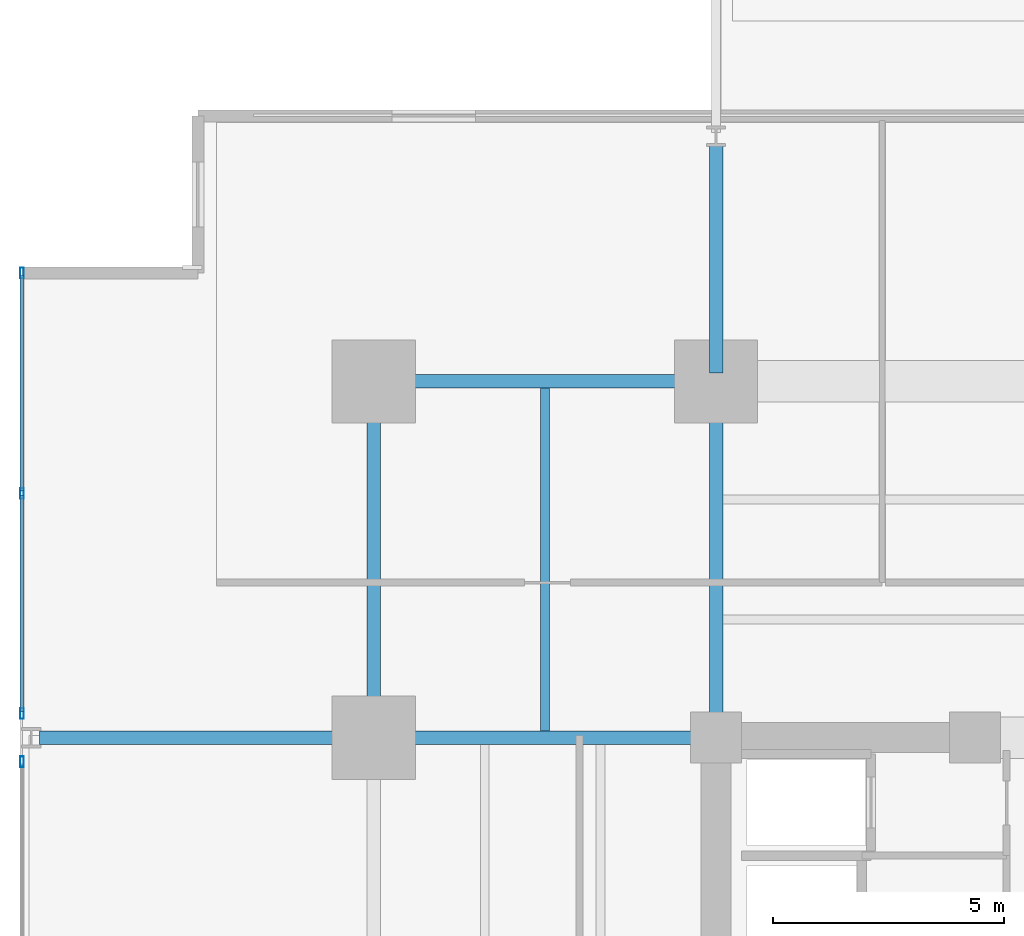
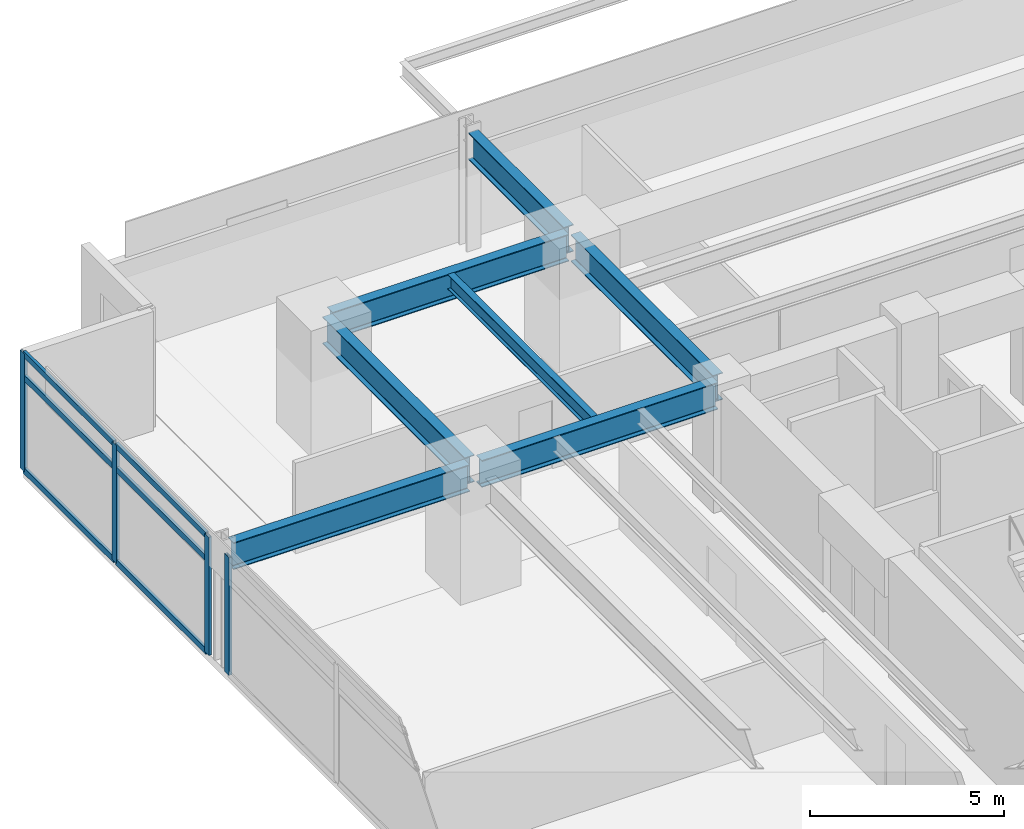
# One storey, part 11 of 25: 10 members, 7 beams, 2 elements without a shape of their own.
"""IFC4 building model written with IfcOpenShell, lengths in metres."""

from ifc_helpers import new_model, si_unit, direction, frame, origin, origin_2d, place, context, subcontext, project, spatial, hollow_rectangle, i_section, extrude, material, material_profile, profile_set, type_object, element, aggregate, save


model = new_model("IFC4")

# Units and contexts
model_context = context("Model", 3, precision=1e-05, world=origin(), true_north=direction((0.0, 1.0)))
body_context = subcontext(model_context, "Body", "Model", "MODEL_VIEW")
ifc_project = project(units=[si_unit("LENGTHUNIT", "METRE"), si_unit("AREAUNIT", "SQUARE_METRE"), si_unit("VOLUMEUNIT", "CUBIC_METRE"), si_unit("PLANEANGLEUNIT", "RADIAN"), si_unit("MASSUNIT", "GRAM", prefix="KILO")], contexts=[model_context])

# Site, building, storey
site_placement = place(None, origin())
site = spatial("IfcSite", under=ifc_project, at=site_placement, CompositionType="ELEMENT")
building_placement = place(site_placement, origin())
building = spatial("IfcBuilding", under=site, at=building_placement, Name="Kovane Verandah Tower", CompositionType="ELEMENT")
storey_placement = place(building_placement, frame((0.0, 0.0, 67.60009765625)))
storey = spatial("IfcBuildingStorey", under=building, at=storey_placement, Name="L15", CompositionType="ELEMENT", Elevation=67.60009765625)

# Beams
ifc_material_1 = material(Name="Steel S355", Category="steel")
ifc_material_profile_1 = material_profile(ifc_material_1, i_section(OverallWidth=0.293701171875, OverallDepth=0.850830078125, WebThickness=0.01611328125, FlangeThickness=0.02685546875, FilletRadius=0.017822265625, at=origin_2d()), Name="UB838x292x226")
ifc_profile_set_1 = profile_set([ifc_material_profile_1], Name="Steel S355")
beam_type_1 = type_object("IfcBeamType", Name="BM-UB838x226", PredefinedType="BEAM", material=ifc_profile_set_1)
beam_1_placement = place(storey_placement, frame((21.780029296875, 44.199951171875, 3.33447265625), z_axis=(1.0, 0.0, 0.0), x_axis=(0.0, 1.0, 0.0)))
element("IfcBeam", 1, at=beam_1_placement, inside=storey, type_object=beam_type_1, Name="L15 Primary Tower Girder G-RN1", PredefinedType="BEAM", context=body_context, shape_type="SweptSolid", body=[
    extrude(i_section(OverallWidth=0.293701171875, OverallDepth=0.850830078125, WebThickness=0.01611328125, FlangeThickness=0.02685546875, FilletRadius=0.017822265625, at=origin_2d()), origin(), (0.0, 0.0, 1.0), 7.0400390625),
])
beam_2_placement = place(storey_placement, frame((21.60009765625, 36.679931640625, 3.33447265625), z_axis=(0.0, 1.0, 0.0), x_axis=(-1.0, 0.0, 0.0)))
element("IfcBeam", 2, at=beam_2_placement, inside=storey, type_object=beam_type_1, Name="L15 Primary Tower Girder G-RW3", PredefinedType="BEAM", context=body_context, shape_type="SweptSolid", body=[
    extrude(i_section(OverallWidth=0.293701171875, OverallDepth=0.850830078125, WebThickness=0.01611328125, FlangeThickness=0.02685546875, FilletRadius=0.017822265625, at=origin_2d()), origin(), (0.0, 0.0, 1.0), 7.340087890625),
])
beam_3_placement = place(storey_placement, frame((28.820068359375, 36.5, 3.33447265625), z_axis=(-1.0, 0.0, 0.0), x_axis=(0.0, -1.0, 0.0)))
element("IfcBeam", 3, at=beam_3_placement, inside=storey, type_object=beam_type_1, Name="L15 Primary Tower Girder G-W2", PredefinedType="BEAM", context=body_context, shape_type="SweptSolid", body=[
    extrude(i_section(OverallWidth=0.293701171875, OverallDepth=0.850830078125, WebThickness=0.01611328125, FlangeThickness=0.02685546875, FilletRadius=0.017822265625, at=origin_2d()), origin(), (0.0, 0.0, 1.0), 7.0400390625),
])
beam_4_placement = place(storey_placement, frame((29.0, 36.679931640625, 3.33447265625), z_axis=(0.0, 1.0, 0.0), x_axis=(-1.0, 0.0, 0.0)))
element("IfcBeam", 4, at=beam_4_placement, inside=storey, type_object=beam_type_1, Name="L15 Primary Tower Girder G-N1", PredefinedType="BEAM", context=body_context, shape_type="SweptSolid", body=[
    extrude(i_section(OverallWidth=0.293701171875, OverallDepth=0.850830078125, WebThickness=0.01611328125, FlangeThickness=0.02685546875, FilletRadius=0.017822265625, at=origin_2d()), origin(), (0.0, 0.0, 1.0), 7.340087890625),
])
beam_5_placement = place(storey_placement, frame((21.419921875, 36.5, 3.33447265625), z_axis=(-1.0, 0.0, 0.0), x_axis=(0.0, -1.0, 0.0)))
element("IfcBeam", 5, at=beam_5_placement, inside=storey, type_object=beam_type_1, Name="L15 Primary Tower Girder G-VW2", PredefinedType="BEAM", context=body_context, shape_type="SweptSolid", body=[
    extrude(i_section(OverallWidth=0.293701171875, OverallDepth=0.850830078125, WebThickness=0.01611328125, FlangeThickness=0.02685546875, FilletRadius=0.017822265625, at=origin_2d()), origin(), (0.0, 0.0, 1.0), 7.0400390625),
])
beam_6_placement = place(storey_placement, frame((29.0, 44.3798828125, 3.33447265625), z_axis=(0.0, 1.0, 0.0), x_axis=(-1.0, 0.0, 0.0)))
element("IfcBeam", 6, at=beam_6_placement, inside=storey, type_object=beam_type_1, Name="L15 Primary Tower Girder G-VN1", PredefinedType="BEAM", context=body_context, shape_type="SweptSolid", body=[
    extrude(i_section(OverallWidth=0.293701171875, OverallDepth=0.850830078125, WebThickness=0.01611328125, FlangeThickness=0.02685546875, FilletRadius=0.017822265625, at=origin_2d()), origin(), (0.0, 0.0, 1.0), 4.940185546875),
])

# Curtain wall, members
ifc_material_2 = material(Name="Champagne Anodised Aluminium Frame with Low-E Clear Laminated Glass", Category="aluminium")
curtain_wall_type = type_object("IfcCurtainWallType", Name="CW-SYS-02-LOW", PredefinedType="NOTDEFINED", material=ifc_material_2)
curtain_wall_1_placement = place(storey_placement, origin())
curtain_wall_1 = element("IfcCurtainWall", 7, at=curtain_wall_1_placement, inside=storey, type_object=curtain_wall_type, Name="L15 W Unitised Curtain Wall-1", PredefinedType="NOTDEFINED")
ifc_material_3 = material(Name="Champagne Anodised Aluminium 6063-T6", Category="aluminium")
ifc_material_profile_2 = material_profile(ifc_material_3, hollow_rectangle(XDim=0.0849609375, YDim=0.22998046875, WallThickness=0.00390625, at=origin_2d()), Name="AL85x230x4")
ifc_profile_set_2 = profile_set([ifc_material_profile_2], Name="Champagne Anodised Aluminium 6063-T6")
member_type_1 = type_object("IfcMemberType", Name="CW-MUL-85x230", PredefinedType="MULLION", material=ifc_profile_set_2)
member_1_placement = place(storey_placement, frame((13.998779296875, 46.540771484375, 0.02001953125), z_axis=(0.0, 0.0, 1.0), x_axis=(-1.0, 0.0, 0.0)))
member_1 = element("IfcMember", 8, at=member_1_placement, type_object=member_type_1, Name="L15 W Unitised Curtain Wall-1 Mullion 1", PredefinedType="MULLION", context=body_context, shape_type="SweptSolid", body=[
    extrude(hollow_rectangle(XDim=0.0849609375, YDim=0.22998046875, WallThickness=0.00390625, at=origin_2d()), origin(), (0.0, 0.0, 1.0), 3.719970703125),
])
member_2_placement = place(storey_placement, frame((13.998779296875, 41.780517578125, 0.02001953125), z_axis=(0.0, 0.0, 1.0), x_axis=(-1.0, 0.0, 0.0)))
member_2 = element("IfcMember", 9, at=member_2_placement, type_object=member_type_1, Name="L15 W Unitised Curtain Wall-1 Mullion 2", PredefinedType="MULLION", context=body_context, shape_type="SweptSolid", body=[
    extrude(hollow_rectangle(XDim=0.0849609375, YDim=0.22998046875, WallThickness=0.00390625, at=origin_2d()), origin(), (0.0, 0.0, 1.0), 3.719970703125),
])
member_3_placement = place(storey_placement, frame((13.998779296875, 37.02001953125, 0.02001953125), z_axis=(0.0, 0.0, 1.0), x_axis=(-1.0, 0.0, 0.0)))
member_3 = element("IfcMember", 10, at=member_3_placement, type_object=member_type_1, Name="L15 W Unitised Curtain Wall-1 Mullion 3", PredefinedType="MULLION", context=body_context, shape_type="SweptSolid", body=[
    extrude(hollow_rectangle(XDim=0.0849609375, YDim=0.22998046875, WallThickness=0.00390625, at=origin_2d()), origin(), (0.0, 0.0, 1.0), 3.719970703125),
])

# Curtain wall, member
curtain_wall_2_placement = place(storey_placement, origin())
curtain_wall_2 = element("IfcCurtainWall", 11, at=curtain_wall_2_placement, inside=storey, type_object=curtain_wall_type, Name="L15 W Unitised Curtain Wall-2", PredefinedType="NOTDEFINED")
member_4_placement = place(storey_placement, frame((13.998779296875, 35.97998046875, 0.02001953125), z_axis=(0.0, 0.0, 1.0), x_axis=(-1.0, 0.0, 0.0)))
member_4 = element("IfcMember", 12, at=member_4_placement, type_object=member_type_1, Name="L15 W Unitised Curtain Wall-2 Mullion 1", PredefinedType="MULLION", context=body_context, shape_type="SweptSolid", body=[
    extrude(hollow_rectangle(XDim=0.0849609375, YDim=0.22998046875, WallThickness=0.00390625, at=origin_2d()), origin(), (0.0, 0.0, 1.0), 3.719970703125),
])
aggregate(curtain_wall_2, [member_4])

# Member
ifc_material_profile_3 = material_profile(ifc_material_3, hollow_rectangle(XDim=0.0849609375, YDim=0.18994140625, WallThickness=0.00390625, at=origin_2d()), Name="AL85x190x4")
ifc_profile_set_3 = profile_set([ifc_material_profile_3], Name="Champagne Anodised Aluminium 6063-T6")
member_type_2 = type_object("IfcMemberType", Name="CW-TRN-85x190", PredefinedType="USERDEFINED", material=ifc_profile_set_3)
member_5_placement = place(storey_placement, frame((13.998779296875, 46.49072265625, 0.0498046875), z_axis=(0.0, -1.0, 0.0), x_axis=(1.0, 0.0, 0.0)))
member_5 = element("IfcMember", 13, at=member_5_placement, type_object=member_type_2, Name="L15 W Unitised Curtain Wall-1 Transom TB Bay 1", ObjectType="TRANSOM", PredefinedType="USERDEFINED", context=body_context, shape_type="SweptSolid", body=[
    extrude(hollow_rectangle(XDim=0.0849609375, YDim=0.18994140625, WallThickness=0.00390625, at=origin_2d()), origin(), (0.0, 0.0, 1.0), 4.660400390625),
])

member_6_placement = place(storey_placement, frame((13.998779296875, 46.49072265625, 2.97998046875), z_axis=(0.0, -1.0, 0.0), x_axis=(1.0, 0.0, 0.0)))
member_6 = element("IfcMember", 14, at=member_6_placement, type_object=member_type_2, Name="L15 W Unitised Curtain Wall-1 Transom TM Bay 1", ObjectType="TRANSOM", PredefinedType="USERDEFINED", context=body_context, shape_type="SweptSolid", body=[
    extrude(hollow_rectangle(XDim=0.0849609375, YDim=0.18994140625, WallThickness=0.00390625, at=origin_2d()), origin(), (0.0, 0.0, 1.0), 4.660400390625),
])

member_7_placement = place(storey_placement, frame((13.998779296875, 46.49072265625, 3.7099609375), z_axis=(0.0, -1.0, 0.0), x_axis=(1.0, 0.0, 0.0)))
member_7 = element("IfcMember", 15, at=member_7_placement, type_object=member_type_2, Name="L15 W Unitised Curtain Wall-1 Transom TT Bay 1", ObjectType="TRANSOM", PredefinedType="USERDEFINED", context=body_context, shape_type="SweptSolid", body=[
    extrude(hollow_rectangle(XDim=0.0849609375, YDim=0.18994140625, WallThickness=0.00390625, at=origin_2d()), origin(), (0.0, 0.0, 1.0), 4.660400390625),
])

member_8_placement = place(storey_placement, frame((13.998779296875, 41.73046875, 0.0498046875), z_axis=(0.0, -1.0, 0.0), x_axis=(1.0, 0.0, 0.0)))
member_8 = element("IfcMember", 16, at=member_8_placement, type_object=member_type_2, Name="L15 W Unitised Curtain Wall-1 Transom TB Bay 2", ObjectType="TRANSOM", PredefinedType="USERDEFINED", context=body_context, shape_type="SweptSolid", body=[
    extrude(hollow_rectangle(XDim=0.0849609375, YDim=0.18994140625, WallThickness=0.00390625, at=origin_2d()), origin(), (0.0, 0.0, 1.0), 4.660400390625),
])

member_9_placement = place(storey_placement, frame((13.998779296875, 41.73046875, 2.97998046875), z_axis=(0.0, -1.0, 0.0), x_axis=(1.0, 0.0, 0.0)))
member_9 = element("IfcMember", 17, at=member_9_placement, type_object=member_type_2, Name="L15 W Unitised Curtain Wall-1 Transom TM Bay 2", ObjectType="TRANSOM", PredefinedType="USERDEFINED", context=body_context, shape_type="SweptSolid", body=[
    extrude(hollow_rectangle(XDim=0.0849609375, YDim=0.18994140625, WallThickness=0.00390625, at=origin_2d()), origin(), (0.0, 0.0, 1.0), 4.660400390625),
])

member_10_placement = place(storey_placement, frame((13.998779296875, 41.73046875, 3.7099609375), z_axis=(0.0, -1.0, 0.0), x_axis=(1.0, 0.0, 0.0)))
member_10 = element("IfcMember", 18, at=member_10_placement, type_object=member_type_2, Name="L15 W Unitised Curtain Wall-1 Transom TT Bay 2", ObjectType="TRANSOM", PredefinedType="USERDEFINED", context=body_context, shape_type="SweptSolid", body=[
    extrude(hollow_rectangle(XDim=0.0849609375, YDim=0.18994140625, WallThickness=0.00390625, at=origin_2d()), origin(), (0.0, 0.0, 1.0), 4.660400390625),
])

aggregate(curtain_wall_1, [member_1, member_2, member_3, member_5, member_6, member_7, member_8, member_9, member_10])

# Beam
ifc_material_profile_4 = material_profile(ifc_material_1, i_section(OverallWidth=0.19287109375, OverallDepth=0.46728515625, WebThickness=0.011474609375, FlangeThickness=0.01953125, FilletRadius=0.01025390625, at=origin_2d()), Name="UB457x191x98")
ifc_profile_set_4 = profile_set([ifc_material_profile_4], Name="Steel S355")
beam_type_2 = type_object("IfcBeamType", Name="JST-UB457x98", PredefinedType="JOIST", material=ifc_profile_set_4)
beam_7_placement = place(storey_placement, frame((25.300048828125, 36.64501953125, 3.5263671875), z_axis=(0.0, 1.0, 0.0), x_axis=(-1.0, 0.0, 0.0)))
element("IfcBeam", 19, at=beam_7_placement, inside=storey, type_object=beam_type_2, Name="L15 Secondary Composite Joist J-NW1", PredefinedType="JOIST", context=body_context, shape_type="SweptSolid", body=[
    extrude(i_section(OverallWidth=0.19287109375, OverallDepth=0.46728515625, WebThickness=0.011474609375, FlangeThickness=0.01953125, FilletRadius=0.01025390625, at=origin_2d()), origin(), (0.0, 0.0, 1.0), 7.41015625),
])

save(model, "model.ifc")
